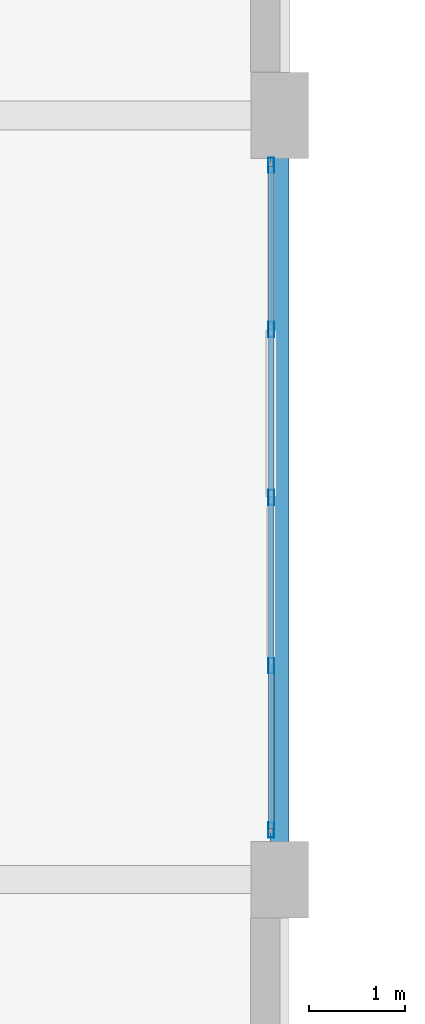
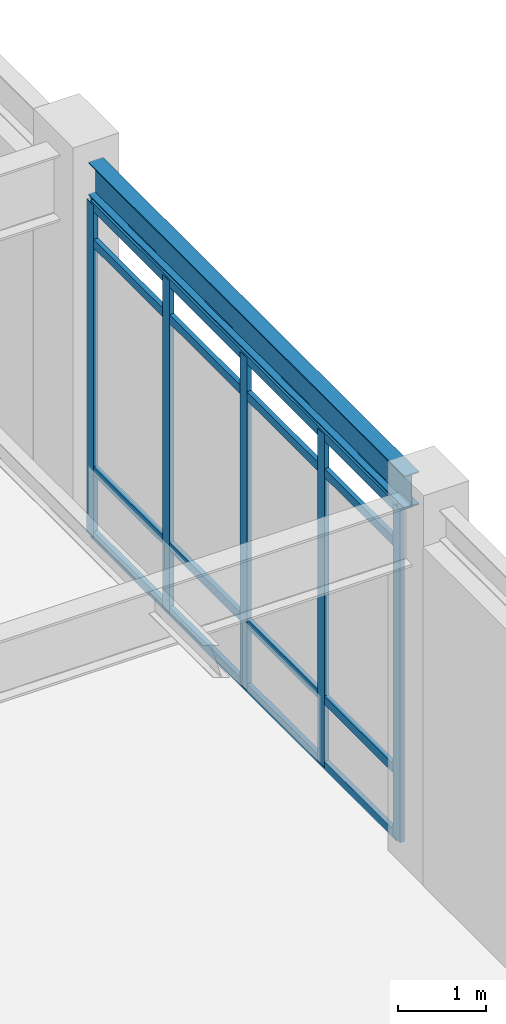
# One storey, part 118 of 203: 9 members, 1 beam, 1 element without a shape of its own.
"""IFC4 building model written with IfcOpenShell, lengths in metres."""

from ifc_helpers import new_model, si_unit, direction, frame, origin, origin_2d, place, context, subcontext, project, spatial, hollow_rectangle, i_section, extrude, material, material_profile, profile_set, type_object, element, aggregate, save


model = new_model("IFC4")

# Units and contexts
model_context = context("Model", 3, precision=1e-05, world=origin(), true_north=direction((0.0, 1.0)))
body_context = subcontext(model_context, "Body", "Model", "MODEL_VIEW")
ifc_project = project(units=[si_unit("LENGTHUNIT", "METRE"), si_unit("AREAUNIT", "SQUARE_METRE"), si_unit("VOLUMEUNIT", "CUBIC_METRE"), si_unit("PLANEANGLEUNIT", "RADIAN"), si_unit("MASSUNIT", "GRAM", prefix="KILO"), si_unit("THERMODYNAMICTEMPERATUREUNIT", "KELVIN"), si_unit("POWERUNIT", "WATT")], contexts=[model_context])

# Site, building, storey
site_placement = place(None, origin())
site = spatial("IfcSite", under=ifc_project, at=site_placement, CompositionType="ELEMENT")
building_placement = place(site_placement, origin())
building = spatial("IfcBuilding", under=site, at=building_placement, Name="Tepalcoro Natatorium and Aquatics Centre", CompositionType="ELEMENT")
storey_placement = place(building_placement, origin())
storey = spatial("IfcBuildingStorey", under=building, at=storey_placement, Name="L00", CompositionType="ELEMENT", Elevation=0.0)

# Curtain wall, members
ifc_material_1 = material(Name="Bronze-Anodised Extruded Aluminium Alloy EN AW-6063 T6", Category="aluminium")
curtain_wall_type = type_object("IfcCurtainWallType", Name="CW_V1_PLINTH", PredefinedType="USERDEFINED", material=ifc_material_1)
curtain_wall_placement = place(storey_placement, origin())
curtain_wall = element("IfcCurtainWall", 1, at=curtain_wall_placement, inside=storey, type_object=curtain_wall_type, Name="V2 L00 E Unitised Curtain Wall Bay 4", ObjectType="UNITISED STOREFRONT", PredefinedType="USERDEFINED")
ifc_material_profile_1 = material_profile(ifc_material_1, hollow_rectangle(XDim=0.06005859375, YDim=0.159912109375, WallThickness=0.00390625, at=origin_2d()), Name="AL60X160X4")
ifc_profile_set_1 = profile_set([ifc_material_profile_1], Name="Bronze-Anodised Extruded Aluminium Alloy EN AW-6063 T6")
member_type_1 = type_object("IfcMemberType", Name="CW_MUL_60x160", PredefinedType="MULLION", material=ifc_profile_set_1)
member_1_placement = place(storey_placement, frame((175.909912109375, 28.52001953125, 0.02001953125), z_axis=(0.0, 0.0, 1.0), x_axis=(1.0, 0.0, 0.0)))
member_1 = element("IfcMember", 2, at=member_1_placement, type_object=member_type_1, Name="CW_V1_PLINTH Curtain Wall Mullion", PredefinedType="MULLION", context=body_context, shape_type="SweptSolid", body=[
    extrude(hollow_rectangle(XDim=0.06005859375, YDim=0.159912109375, WallThickness=0.00390625, at=origin_2d()), origin(), (0.0, 0.0, 1.0), 4.60986328125),
])
member_2_placement = place(storey_placement, frame((175.909912109375, 30.239990234375, 0.02001953125), z_axis=(0.0, 0.0, 1.0), x_axis=(1.0, 0.0, 0.0)))
member_2 = element("IfcMember", 3, at=member_2_placement, type_object=member_type_1, Name="CW_V1_PLINTH Curtain Wall Mullion", PredefinedType="MULLION", context=body_context, shape_type="SweptSolid", body=[
    extrude(hollow_rectangle(XDim=0.06005859375, YDim=0.159912109375, WallThickness=0.00390625, at=origin_2d()), origin(), (0.0, 0.0, 1.0), 4.60986328125),
])
member_3_placement = place(storey_placement, frame((175.909912109375, 32.0, 0.02001953125), z_axis=(0.0, 0.0, 1.0), x_axis=(1.0, 0.0, 0.0)))
member_3 = element("IfcMember", 4, at=member_3_placement, type_object=member_type_1, Name="CW_V1_PLINTH Curtain Wall Mullion", PredefinedType="MULLION", context=body_context, shape_type="SweptSolid", body=[
    extrude(hollow_rectangle(XDim=0.06005859375, YDim=0.159912109375, WallThickness=0.00390625, at=origin_2d()), origin(), (0.0, 0.0, 1.0), 4.60986328125),
])
member_4_placement = place(storey_placement, frame((175.909912109375, 33.760009765625, 0.02001953125), z_axis=(0.0, 0.0, 1.0), x_axis=(1.0, 0.0, 0.0)))
member_4 = element("IfcMember", 5, at=member_4_placement, type_object=member_type_1, Name="CW_V1_PLINTH Curtain Wall Mullion", PredefinedType="MULLION", context=body_context, shape_type="SweptSolid", body=[
    extrude(hollow_rectangle(XDim=0.06005859375, YDim=0.159912109375, WallThickness=0.00390625, at=origin_2d()), origin(), (0.0, 0.0, 1.0), 4.60986328125),
])
member_5_placement = place(storey_placement, frame((175.909912109375, 35.47998046875, 0.02001953125), z_axis=(0.0, 0.0, 1.0), x_axis=(1.0, 0.0, 0.0)))
member_5 = element("IfcMember", 6, at=member_5_placement, type_object=member_type_1, Name="CW_V1_PLINTH Curtain Wall Mullion", PredefinedType="MULLION", context=body_context, shape_type="SweptSolid", body=[
    extrude(hollow_rectangle(XDim=0.06005859375, YDim=0.159912109375, WallThickness=0.00390625, at=origin_2d()), origin(), (0.0, 0.0, 1.0), 4.60986328125),
])
ifc_material_profile_2 = material_profile(ifc_material_1, hollow_rectangle(XDim=0.06005859375, YDim=0.1201171875, WallThickness=0.00390625, at=origin_2d()), Name="AL60X120X4")
ifc_profile_set_2 = profile_set([ifc_material_profile_2], Name="Bronze-Anodised Extruded Aluminium Alloy EN AW-6063 T6")
member_type_2 = type_object("IfcMemberType", Name="CW_TRN_60x120", PredefinedType="USERDEFINED", material=ifc_profile_set_2)
member_6_placement = place(storey_placement, frame((175.909912109375, 28.530029296875, 0.050048828125), z_axis=(0.0, 1.0, 0.0), x_axis=(-1.0, 0.0, 0.0)))
member_6 = element("IfcMember", 7, at=member_6_placement, type_object=member_type_2, Name="CW_V1_PLINTH Curtain Wall Transom", ObjectType="TRANSOM", PredefinedType="USERDEFINED", context=body_context, shape_type="SweptSolid", body=[
    extrude(hollow_rectangle(XDim=0.06005859375, YDim=0.1201171875, WallThickness=0.00390625, at=origin_2d()), origin(), (0.0, 0.0, 1.0), 6.93994140625),
])
member_7_placement = place(storey_placement, frame((175.909912109375, 28.530029296875, 0.949951171875), z_axis=(0.0, 1.0, 0.0), x_axis=(-1.0, 0.0, 0.0)))
member_7 = element("IfcMember", 8, at=member_7_placement, type_object=member_type_2, Name="CW_V1_PLINTH Curtain Wall Transom", ObjectType="TRANSOM", PredefinedType="USERDEFINED", context=body_context, shape_type="SweptSolid", body=[
    extrude(hollow_rectangle(XDim=0.06005859375, YDim=0.1201171875, WallThickness=0.00390625, at=origin_2d()), origin(), (0.0, 0.0, 1.0), 6.93994140625),
])
member_8_placement = place(storey_placement, frame((175.909912109375, 28.530029296875, 4.10009765625), z_axis=(0.0, 1.0, 0.0), x_axis=(-1.0, 0.0, 0.0)))
member_8 = element("IfcMember", 9, at=member_8_placement, type_object=member_type_2, Name="CW_V1_PLINTH Curtain Wall Transom", ObjectType="TRANSOM", PredefinedType="USERDEFINED", context=body_context, shape_type="SweptSolid", body=[
    extrude(hollow_rectangle(XDim=0.06005859375, YDim=0.1201171875, WallThickness=0.00390625, at=origin_2d()), origin(), (0.0, 0.0, 1.0), 6.93994140625),
])
member_9_placement = place(storey_placement, frame((175.909912109375, 28.530029296875, 4.60009765625), z_axis=(0.0, 1.0, 0.0), x_axis=(-1.0, 0.0, 0.0)))
member_9 = element("IfcMember", 10, at=member_9_placement, type_object=member_type_2, Name="CW_V1_PLINTH Curtain Wall Transom", ObjectType="TRANSOM", PredefinedType="USERDEFINED", context=body_context, shape_type="SweptSolid", body=[
    extrude(hollow_rectangle(XDim=0.06005859375, YDim=0.1201171875, WallThickness=0.00390625, at=origin_2d()), origin(), (0.0, 0.0, 1.0), 6.93994140625),
])
aggregate(curtain_wall, [member_1, member_2, member_3, member_4, member_5, member_6, member_7, member_8, member_9])

# Beam
ifc_material_2 = material(Name="Steel ASTM A992 Grade 50 (Fy 345 MPa)", Category="steel")
ifc_material_profile_3 = material_profile(ifc_material_2, i_section(OverallWidth=0.19091796875, OverallDepth=0.4599609375, WebThickness=0.010009765625, FlangeThickness=0.01611328125, FilletRadius=0.013916015625, at=origin_2d()), Name="W18X55")
ifc_profile_set_3 = profile_set([ifc_material_profile_3], Name="Steel ASTM A992 Grade 50 (Fy 345 MPa)")
beam_type = type_object("IfcBeamType", Name="SP_W18x55", PredefinedType="SPANDREL", material=ifc_profile_set_3)
beam_placement = place(storey_placement, frame((176.0, 28.385009765625, 4.89501953125), z_axis=(0.0, 1.0, 0.0), x_axis=(-1.0, 0.0, 0.0)))
element("IfcBeam", 11, at=beam_placement, inside=storey, type_object=beam_type, Name="V2 L00 Grid Girder Y", PredefinedType="SPANDREL", context=body_context, shape_type="SweptSolid", body=[
    extrude(i_section(OverallWidth=0.19091796875, OverallDepth=0.4599609375, WebThickness=0.010009765625, FlangeThickness=0.01611328125, FilletRadius=0.013916015625, at=origin_2d()), origin(), (0.0, 0.0, 1.0), 7.179931640625),
])

save(model, "model.ifc")
